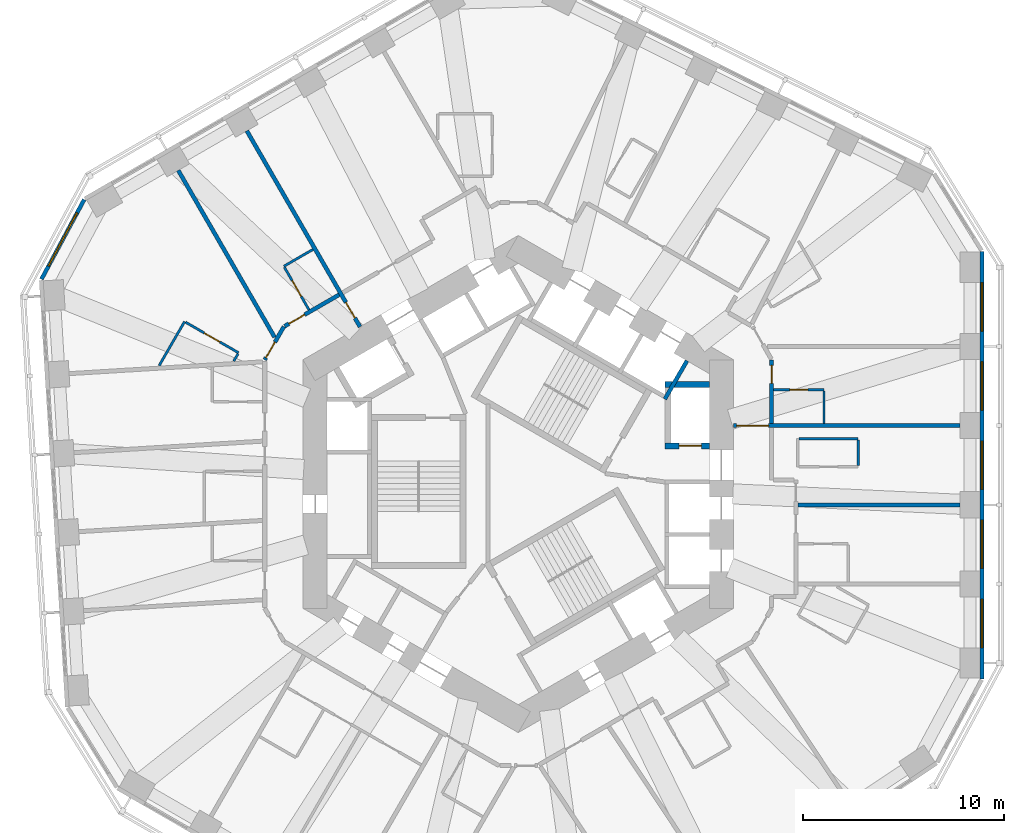
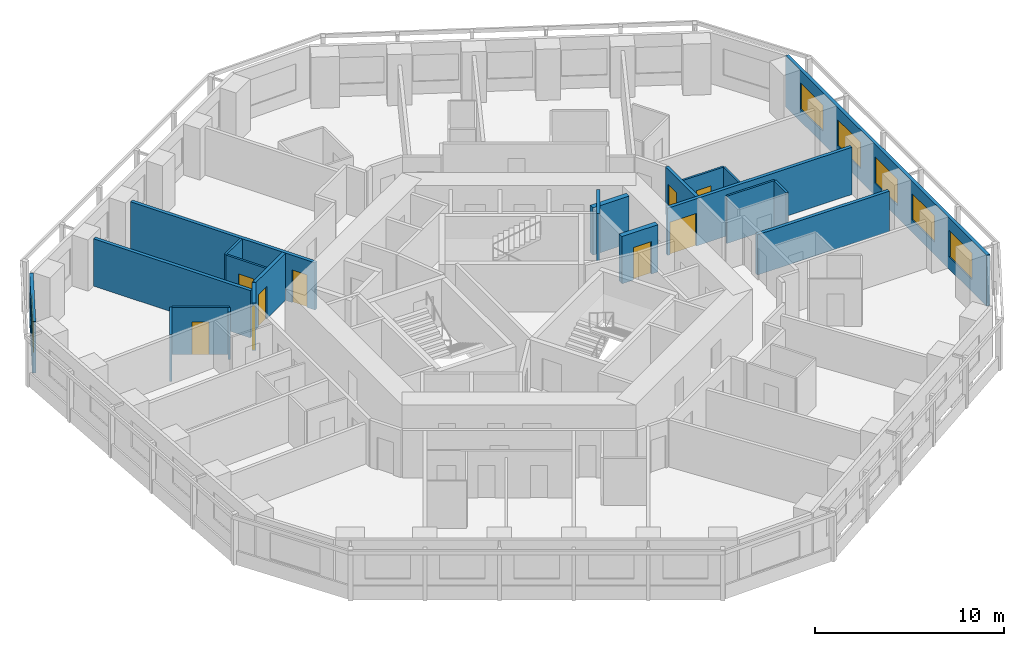
# One storey, part 7 of 12: 21 walls, 9 doors, 6 windows, 15 openings.
"""IFC4 building model written with IfcOpenShell, lengths in metres."""

from ifc_helpers import new_model, si_unit, direction, frame, frame_2d, origin, place, context, subcontext, project, spatial, rectangle, extrude, material, layer, layer_set, type_object, element, fill, save


model = new_model("IFC4")

# Units and contexts
model_context = context("Model", 3, precision=1e-05, world=origin(), true_north=direction((0.0, 1.0)))
body_context = subcontext(model_context, "Body", "Model", "MODEL_VIEW")
ifc_project = project(units=[si_unit("LENGTHUNIT", "METRE"), si_unit("AREAUNIT", "SQUARE_METRE"), si_unit("VOLUMEUNIT", "CUBIC_METRE"), si_unit("PLANEANGLEUNIT", "RADIAN"), si_unit("MASSUNIT", "GRAM", prefix="KILO")], contexts=[model_context])

# Site, building, storey
site_placement = place(None, origin())
site = spatial("IfcSite", under=ifc_project, at=site_placement, CompositionType="ELEMENT")
building_placement = place(site_placement, origin())
building = spatial("IfcBuilding", under=site, at=building_placement, Name="Vanh Sen Convention Tower", CompositionType="ELEMENT")
storey_placement = place(building_placement, frame((0.0, 0.0, 60.5)))
storey = spatial("IfcBuildingStorey", under=building, at=storey_placement, Name="L12", CompositionType="ELEMENT", Elevation=60.5)

# Wall
ifc_material_1 = material(Name="Moisture-resistant gypsum board on steel studs", Category="steel")
ifc_layer_1 = layer(ifc_material_1, 0.1201171875)
ifc_layer_set_1 = layer_set([ifc_layer_1], Name="Moisture-resistant gypsum board on steel studs")
wall_type_1 = type_object("IfcWallType", Name="Bathroom partition 120", PredefinedType="PARTITIONING", material=ifc_layer_set_1)
wall_1_placement = place(storey_placement, frame((-17.849365234375, 5.885498046875, 0.0), z_axis=(0.0, 0.0, 1.0), x_axis=(0.500034589094, 0.866005432841, 0.0)))
element("IfcWall", 1, at=wall_1_placement, inside=storey, type_object=wall_type_1, Name="Bathroom partition 120", PredefinedType="PARTITIONING", context=body_context, shape_type="SweptSolid", body=[
    extrude(rectangle(XDim=2.527587890625, YDim=0.1201171875, at=frame_2d((1.263671875, 0.0))), origin(), (0.0, 0.0, 1.0), 3.050048828125),
])

# Wall, opening, door
wall_2_placement = place(storey_placement, frame((-16.533447265625, 8.04443359375, 0.0), z_axis=(0.0, 0.0, 1.0), x_axis=(0.86601037836, -0.500026023896, 0.0)))
wall_2 = element("IfcWall", 2, at=wall_2_placement, inside=storey, type_object=wall_type_1, Name="Bathroom partition 120", PredefinedType="PARTITIONING", context=body_context, shape_type="SweptSolid", body=[
    extrude(rectangle(XDim=3.039794921875, YDim=0.1201171875, at=frame_2d((1.52001953125, 0.0))), origin(), (0.0, 0.0, 1.0), 3.050048828125),
])
opening_1_placement = place(wall_2_placement, frame((1.070068359375, 0.0, 0.0)))
opening_1 = element("IfcOpeningElement", 3, at=opening_1_placement, cuts=wall_2, Name="Opening D10119", PredefinedType="OPENING", context=body_context, shape_type="SweptSolid", body=[
    extrude(rectangle(XDim=0.89990234375, YDim=2.10009765625, at=frame_2d((0.449951171875, 1.050048828125))), frame((0.0, 0.070068359375, 0.0), z_axis=(0.0, -1.0, 0.0), x_axis=(1.0, 0.0, 0.0)), (0.0, 0.0, 1.0), 0.14013671875),
])
ifc_material_2 = material(Name="Laminate door in steel frame", Category="steel")
door_type_1 = type_object("IfcDoorType", Name="En-suite door 900", OperationType="SINGLE_SWING_LEFT", PredefinedType="DOOR", material=ifc_material_2)
door_1_placement = place(opening_1_placement, origin())
door_1 = element("IfcDoor", 4, at=door_1_placement, inside=storey, type_object=door_type_1, Name="En-suite door D10119", OperationType="SINGLE_SWING_LEFT", OverallHeight=2.10009765625, OverallWidth=0.89990234375, PredefinedType="DOOR", context=body_context, shape_type="SweptSolid", body=[
    extrude(rectangle(XDim=0.89990234375, YDim=2.10009765625, at=frame_2d((0.449951171875, 1.050048828125))), frame((0.0, 0.02490234375, 0.0), z_axis=(0.0, -1.0, 0.0), x_axis=(1.0, 0.0, 0.0)), (0.0, 0.0, 1.0), 0.050048828125),
])
fill(opening_1, door_1)

# Walls
wall_3_placement = place(storey_placement, frame((-13.930908203125, 6.472412109375, 0.0), z_axis=(0.0, 0.0, 1.0), x_axis=(-0.499739399214, -0.866175809448, 0.0)))
element("IfcWall", 5, at=wall_3_placement, inside=storey, type_object=wall_type_1, Name="Bathroom partition 120", PredefinedType="PARTITIONING", context=body_context, shape_type="SweptSolid", body=[
    extrude(rectangle(XDim=0.415771484375, YDim=0.1201171875, at=frame_2d((0.2080078125, 0.0))), origin(), (0.0, 0.0, 1.0), 3.050048828125),
])
wall_4_placement = place(storey_placement, frame((-11.65087890625, 10.82470703125, 0.0), z_axis=(0.0, 0.0, 1.0), x_axis=(0.865998477143, 0.500046635412, 0.0)))
element("IfcWall", 6, at=wall_4_placement, inside=storey, type_object=wall_type_1, Name="Bathroom partition 120", PredefinedType="PARTITIONING", context=body_context, shape_type="SweptSolid", body=[
    extrude(rectangle(XDim=1.673095703125, YDim=0.1201171875, at=frame_2d((0.83642578125, 0.0))), origin(), (0.0, 0.0, 1.0), 3.050048828125),
])

# Wall, opening, door
wall_5_placement = place(storey_placement, frame((-10.40087890625, 8.65966796875, 0.0), z_axis=(0.0, 0.0, 1.0), x_axis=(-0.500077547548, 0.865980627057, 0.0)))
wall_5 = element("IfcWall", 7, at=wall_5_placement, inside=storey, type_object=wall_type_1, Name="Bathroom partition 120", PredefinedType="PARTITIONING", context=body_context, shape_type="SweptSolid", body=[
    extrude(rectangle(XDim=2.43994140625, YDim=0.1201171875, at=frame_2d((1.219970703125, 0.0))), origin(), (0.0, 0.0, 1.0), 3.050048828125),
])
opening_2_placement = place(wall_5_placement, frame((0.77001953125, 0.0, 0.0)))
opening_2 = element("IfcOpeningElement", 8, at=opening_2_placement, cuts=wall_5, Name="Opening D10117", PredefinedType="OPENING", context=body_context, shape_type="SweptSolid", body=[
    extrude(rectangle(XDim=0.89990234375, YDim=2.10009765625, at=frame_2d((0.449951171875, 1.050048828125))), frame((0.0, 0.070068359375, 0.0), z_axis=(0.0, -1.0, 0.0), x_axis=(1.0, 0.0, 0.0)), (0.0, 0.0, 1.0), 0.14013671875),
])
door_2_placement = place(opening_2_placement, origin())
door_2 = element("IfcDoor", 9, at=door_2_placement, inside=storey, type_object=door_type_1, Name="En-suite door D10117", OperationType="SINGLE_SWING_LEFT", OverallHeight=2.10009765625, OverallWidth=0.89990234375, PredefinedType="DOOR", context=body_context, shape_type="SweptSolid", body=[
    extrude(rectangle(XDim=0.89990234375, YDim=2.10009765625, at=frame_2d((0.449951171875, 1.050048828125))), frame((0.0, 0.02490234375, 0.0), z_axis=(0.0, -1.0, 0.0), x_axis=(1.0, 0.0, 0.0)), (0.0, 0.0, 1.0), 0.050048828125),
])
fill(opening_2, door_2)

wall_6_placement = place(storey_placement, frame((12.699951171875, 4.677490234375, 0.0), z_axis=(0.0, 0.0, 1.0), x_axis=(1.0, 0.0, 0.0)))
wall_6 = element("IfcWall", 10, at=wall_6_placement, inside=storey, type_object=wall_type_1, Name="Bathroom partition 120", PredefinedType="PARTITIONING", context=body_context, shape_type="SweptSolid", body=[
    extrude(rectangle(XDim=2.5, YDim=0.1201171875, at=frame_2d((1.25, 0.0))), origin(), (0.0, 0.0, 1.0), 3.050048828125),
])
opening_3_placement = place(wall_6_placement, frame((0.800048828125, 0.0, 0.0)))
opening_3 = element("IfcOpeningElement", 11, at=opening_3_placement, cuts=wall_6, Name="Opening D10106", PredefinedType="OPENING", context=body_context, shape_type="SweptSolid", body=[
    extrude(rectangle(XDim=0.89990234375, YDim=2.10009765625, at=frame_2d((0.449951171875, 1.050048828125))), frame((0.0, 0.070068359375, 0.0), z_axis=(0.0, -1.0, 0.0), x_axis=(1.0, 0.0, 0.0)), (0.0, 0.0, 1.0), 0.14013671875),
])
door_3_placement = place(opening_3_placement, origin())
door_3 = element("IfcDoor", 12, at=door_3_placement, inside=storey, type_object=door_type_1, Name="En-suite door D10106", OperationType="SINGLE_SWING_LEFT", OverallHeight=2.10009765625, OverallWidth=0.89990234375, PredefinedType="DOOR", context=body_context, shape_type="SweptSolid", body=[
    extrude(rectangle(XDim=0.89990234375, YDim=2.10009765625, at=frame_2d((0.449951171875, 1.050048828125))), frame((0.0, 0.02490234375, 0.0), z_axis=(0.0, -1.0, 0.0), x_axis=(1.0, 0.0, 0.0)), (0.0, 0.0, 1.0), 0.050048828125),
])
fill(opening_3, door_3)

# Walls
wall_7_placement = place(storey_placement, frame((13.9599609375, 2.252685546875, 0.0), z_axis=(0.0, 0.0, 1.0), x_axis=(1.0, 0.0, 0.0)))
element("IfcWall", 13, at=wall_7_placement, inside=storey, type_object=wall_type_1, Name="Bathroom partition 120", PredefinedType="PARTITIONING", context=body_context, shape_type="SweptSolid", body=[
    extrude(rectangle(XDim=2.93994140625, YDim=0.1201171875, at=frame_2d((1.469970703125, 0.0))), origin(), (0.0, 0.0, 1.0), 3.050048828125),
])
wall_8_placement = place(storey_placement, frame((15.199951171875, 4.61767578125, 0.0), z_axis=(0.0, 0.0, 1.0), x_axis=(0.0, -1.0, 0.0)))
element("IfcWall", 14, at=wall_8_placement, inside=storey, type_object=wall_type_1, Name="Bathroom partition 120", PredefinedType="PARTITIONING", context=body_context, shape_type="SweptSolid", body=[
    extrude(rectangle(XDim=1.61328125, YDim=0.1201171875, at=frame_2d((0.806640625, 0.0))), origin(), (0.0, 0.0, 1.0), 3.050048828125),
])
wall_9_placement = place(storey_placement, frame((16.89990234375, 2.19287109375, 0.0), z_axis=(0.0, 0.0, 1.0), x_axis=(0.0, -1.0, 0.0)))
element("IfcWall", 15, at=wall_9_placement, inside=storey, type_object=wall_type_1, Name="Bathroom partition 120", PredefinedType="PARTITIONING", context=body_context, shape_type="SweptSolid", body=[
    extrude(rectangle(XDim=1.280029296875, YDim=0.1201171875, at=frame_2d((0.64013671875, 0.0))), origin(), (0.0, 0.0, 1.0), 3.050048828125),
])

# Wall, opening, door
ifc_material_3 = material(Name="Gypsum board on steel studs with mineral wool", Category="steel")
ifc_layer_2 = layer(ifc_material_3, 0.199951171875)
ifc_layer_set_2 = layer_set([ifc_layer_2], Name="Gypsum board on steel studs with mineral wool")
wall_type_2 = type_object("IfcWallType", Name="Corridor partition wall 200", PredefinedType="PARTITIONING", material=ifc_layer_set_2)
wall_10_placement = place(storey_placement, frame((-11.64990234375, 7.822998046875, 0.0), z_axis=(0.0, 0.0, 1.0), x_axis=(-0.500063520245, -0.865988727248, 0.0)))
wall_10 = element("IfcWall", 16, at=wall_10_placement, inside=storey, type_object=wall_type_2, Name="Corridor partition wall 200", PredefinedType="PARTITIONING", context=body_context, shape_type="SweptSolid", body=[
    extrude(rectangle(XDim=1.900146484375, YDim=0.199951171875, at=frame_2d((0.9501953125, 0.0))), origin(), (0.0, 0.0, 1.0), 3.050048828125),
])
opening_4_placement = place(wall_10_placement, frame((0.8818359375, 0.0, 0.0)))
opening_4 = element("IfcOpeningElement", 17, at=opening_4_placement, cuts=wall_10, Name="Opening D10118", PredefinedType="OPENING", context=body_context, shape_type="SweptSolid", body=[
    extrude(rectangle(XDim=0.89990234375, YDim=2.10009765625, at=frame_2d((0.449951171875, 1.050048828125))), frame((0.0, 0.10986328125, 0.0), z_axis=(0.0, -1.0, 0.0), x_axis=(1.0, 0.0, 0.0)), (0.0, 0.0, 1.0), 0.219970703125),
])
ifc_material_4 = material(Name="Timber fire door in steel frame", Category="steel")
door_type_2 = type_object("IfcDoorType", Name="Guest room door 900", OperationType="SINGLE_SWING_LEFT", PredefinedType="DOOR", material=ifc_material_4)
door_4_placement = place(opening_4_placement, origin())
door_4 = element("IfcDoor", 18, at=door_4_placement, inside=storey, type_object=door_type_2, Name="Hotel guest room door D10118", OperationType="SINGLE_SWING_LEFT", OverallHeight=2.10009765625, OverallWidth=0.89990234375, PredefinedType="DOOR", context=body_context, shape_type="SweptSolid", body=[
    extrude(rectangle(XDim=0.89990234375, YDim=2.10009765625, at=frame_2d((0.449951171875, 1.050048828125))), frame((0.0, 0.02490234375, 0.0), z_axis=(0.0, -1.0, 0.0), x_axis=(1.0, 0.0, 0.0)), (0.0, 0.0, 1.0), 0.050048828125),
])
fill(opening_4, door_4)

wall_11_placement = place(storey_placement, frame((-8.902099609375, 9.40966796875, 0.0), z_axis=(0.0, 0.0, 1.0), x_axis=(-0.866014299198, -0.500019233215, 0.0)))
wall_11 = element("IfcWall", 19, at=wall_11_placement, inside=storey, type_object=wall_type_2, Name="Corridor partition wall 200", PredefinedType="PARTITIONING", context=body_context, shape_type="SweptSolid", body=[
    extrude(rectangle(XDim=3.13330078125, YDim=0.199951171875, at=frame_2d((1.566650390625, 0.0))), origin(), (0.0, 0.0, 1.0), 3.050048828125),
])
opening_5_placement = place(wall_11_placement, frame((1.97802734375, 0.0, 0.0)))
opening_5 = element("IfcOpeningElement", 20, at=opening_5_placement, cuts=wall_11, Name="Opening D10116", PredefinedType="OPENING", context=body_context, shape_type="SweptSolid", body=[
    extrude(rectangle(XDim=0.89990234375, YDim=2.10009765625, at=frame_2d((0.449951171875, 1.050048828125))), frame((0.0, 0.10986328125, 0.0), z_axis=(0.0, -1.0, 0.0), x_axis=(1.0, 0.0, 0.0)), (0.0, 0.0, 1.0), 0.219970703125),
])
door_5_placement = place(opening_5_placement, origin())
door_5 = element("IfcDoor", 21, at=door_5_placement, inside=storey, type_object=door_type_2, Name="Hotel guest room door D10116", OperationType="SINGLE_SWING_LEFT", OverallHeight=2.10009765625, OverallWidth=0.89990234375, PredefinedType="DOOR", context=body_context, shape_type="SweptSolid", body=[
    extrude(rectangle(XDim=0.89990234375, YDim=2.10009765625, at=frame_2d((0.449951171875, 1.050048828125))), frame((0.0, 0.02490234375, 0.0), z_axis=(0.0, -1.0, 0.0), x_axis=(1.0, 0.0, 0.0)), (0.0, 0.0, 1.0), 0.050048828125),
])
fill(opening_5, door_5)

wall_12_placement = place(storey_placement, frame((12.60009765625, 3.00439453125, 0.0), z_axis=(0.0, 0.0, 1.0), x_axis=(0.0, 1.0, 0.0)))
wall_12 = element("IfcWall", 22, at=wall_12_placement, inside=storey, type_object=wall_type_2, Name="Corridor partition wall 200", PredefinedType="PARTITIONING", context=body_context, shape_type="SweptSolid", body=[
    extrude(rectangle(XDim=3.173095703125, YDim=0.199951171875, at=frame_2d((1.58642578125, 0.0))), origin(), (0.0, 0.0, 1.0), 3.050048828125),
])
opening_6_placement = place(wall_12_placement, frame((1.998046875, 0.0, 0.0)))
opening_6 = element("IfcOpeningElement", 23, at=opening_6_placement, cuts=wall_12, Name="Opening D10105", PredefinedType="OPENING", context=body_context, shape_type="SweptSolid", body=[
    extrude(rectangle(XDim=0.89990234375, YDim=2.10009765625, at=frame_2d((0.449951171875, 1.050048828125))), frame((0.0, 0.10986328125, 0.0), z_axis=(0.0, -1.0, 0.0), x_axis=(1.0, 0.0, 0.0)), (0.0, 0.0, 1.0), 0.219970703125),
])
door_6_placement = place(opening_6_placement, origin())
door_6 = element("IfcDoor", 24, at=door_6_placement, inside=storey, type_object=door_type_2, Name="Hotel guest room door D10105", OperationType="SINGLE_SWING_LEFT", OverallHeight=2.10009765625, OverallWidth=0.89990234375, PredefinedType="DOOR", context=body_context, shape_type="SweptSolid", body=[
    extrude(rectangle(XDim=0.89990234375, YDim=2.10009765625, at=frame_2d((0.449951171875, 1.050048828125))), frame((0.0, 0.02490234375, 0.0), z_axis=(0.0, -1.0, 0.0), x_axis=(1.0, 0.0, 0.0)), (0.0, 0.0, 1.0), 0.050048828125),
])
fill(opening_6, door_6)

# Wall, openings, windows
ifc_material_5 = material(Name="Insulated lightweight infill wall")
ifc_layer_3 = layer(ifc_material_5, 0.199951171875)
ifc_layer_set_3 = layer_set([ifc_layer_3], Name="Insulated lightweight infill wall")
wall_type_3 = type_object("IfcWallType", Name="External wall 200", PredefinedType="STANDARD", material=ifc_layer_set_3)
wall_13_placement = place(storey_placement, frame((23.050048828125, -9.6865234375, 0.0), z_axis=(0.0, 0.0, 1.0), x_axis=(0.0, 1.0, 0.0)))
wall_13 = element("IfcWall", 25, at=wall_13_placement, inside=storey, type_object=wall_type_3, Name="External wall E L12", PredefinedType="STANDARD", context=body_context, shape_type="SweptSolid", body=[
    extrude(rectangle(XDim=21.24609375, YDim=0.199951171875, at=frame_2d((10.623046875, 0.0))), origin(), (0.0, 0.0, 1.0), 3.300048828125),
])
opening_7_placement = place(wall_13_placement, frame((1.5546875, 0.0, 0.800048828125)))
opening_7 = element("IfcOpeningElement", 26, at=opening_7_placement, cuts=wall_13, Name="Opening WH1-E1", PredefinedType="OPENING", context=body_context, shape_type="SweptSolid", body=[
    extrude(rectangle(XDim=2.39990234375, YDim=1.699951171875, at=frame_2d((1.199951171875, 0.85009765625))), frame((0.0, 0.10986328125, 0.0), z_axis=(0.0, -1.0, 0.0), x_axis=(1.0, 0.0, 0.0)), (0.0, 0.0, 1.0), 0.219970703125),
])
opening_8_placement = place(wall_13_placement, frame((5.4892578125, 0.0, 0.800048828125)))
opening_8 = element("IfcOpeningElement", 27, at=opening_8_placement, cuts=wall_13, Name="Opening WH1-E2", PredefinedType="OPENING", context=body_context, shape_type="SweptSolid", body=[
    extrude(rectangle(XDim=2.39990234375, YDim=1.699951171875, at=frame_2d((1.199951171875, 0.85009765625))), frame((0.0, 0.10986328125, 0.0), z_axis=(0.0, -1.0, 0.0), x_axis=(1.0, 0.0, 0.0)), (0.0, 0.0, 1.0), 0.219970703125),
])
opening_9_placement = place(wall_13_placement, frame((9.423828125, 0.0, 0.800048828125)))
opening_9 = element("IfcOpeningElement", 28, at=opening_9_placement, cuts=wall_13, Name="Opening WH1-E3", PredefinedType="OPENING", context=body_context, shape_type="SweptSolid", body=[
    extrude(rectangle(XDim=2.39990234375, YDim=1.699951171875, at=frame_2d((1.199951171875, 0.85009765625))), frame((0.0, 0.10986328125, 0.0), z_axis=(0.0, -1.0, 0.0), x_axis=(1.0, 0.0, 0.0)), (0.0, 0.0, 1.0), 0.219970703125),
])
opening_10_placement = place(wall_13_placement, frame((13.3583984375, 0.0, 0.800048828125)))
opening_10 = element("IfcOpeningElement", 29, at=opening_10_placement, cuts=wall_13, Name="Opening WH1-E4", PredefinedType="OPENING", context=body_context, shape_type="SweptSolid", body=[
    extrude(rectangle(XDim=2.39990234375, YDim=1.699951171875, at=frame_2d((1.199951171875, 0.85009765625))), frame((0.0, 0.10986328125, 0.0), z_axis=(0.0, -1.0, 0.0), x_axis=(1.0, 0.0, 0.0)), (0.0, 0.0, 1.0), 0.219970703125),
])
opening_11_placement = place(wall_13_placement, frame((17.29296875, 0.0, 0.800048828125)))
opening_11 = element("IfcOpeningElement", 30, at=opening_11_placement, cuts=wall_13, Name="Opening WH1-E5", PredefinedType="OPENING", context=body_context, shape_type="SweptSolid", body=[
    extrude(rectangle(XDim=2.39990234375, YDim=1.699951171875, at=frame_2d((1.199951171875, 0.85009765625))), frame((0.0, 0.10986328125, 0.0), z_axis=(0.0, -1.0, 0.0), x_axis=(1.0, 0.0, 0.0)), (0.0, 0.0, 1.0), 0.219970703125),
])
ifc_material_6 = material(Name="Aluminium frame with clear low-emissivity glass", Category="aluminium")
window_type_1 = type_object("IfcWindowType", Name="Hotel window 2400 x 1700", PartitioningType="SINGLE_PANEL", PredefinedType="WINDOW", material=ifc_material_6)
window_1_placement = place(opening_7_placement, origin())
window_1 = element("IfcWindow", 31, at=window_1_placement, inside=storey, type_object=window_type_1, Name="Window WH1-E1", OverallHeight=1.699951171875, OverallWidth=2.39990234375, PartitioningType="SINGLE_PANEL", PredefinedType="WINDOW", context=body_context, shape_type="SweptSolid", body=[
    extrude(rectangle(XDim=2.39990234375, YDim=1.699951171875, at=frame_2d((1.199951171875, 0.85009765625))), frame((0.0, 0.030029296875, 0.0), z_axis=(0.0, -1.0, 0.0), x_axis=(1.0, 0.0, 0.0)), (0.0, 0.0, 1.0), 0.06005859375),
])
fill(opening_7, window_1)
window_2_placement = place(opening_8_placement, origin())
window_2 = element("IfcWindow", 32, at=window_2_placement, inside=storey, type_object=window_type_1, Name="Window WH1-E2", OverallHeight=1.699951171875, OverallWidth=2.39990234375, PartitioningType="SINGLE_PANEL", PredefinedType="WINDOW", context=body_context, shape_type="SweptSolid", body=[
    extrude(rectangle(XDim=2.39990234375, YDim=1.699951171875, at=frame_2d((1.199951171875, 0.85009765625))), frame((0.0, 0.030029296875, 0.0), z_axis=(0.0, -1.0, 0.0), x_axis=(1.0, 0.0, 0.0)), (0.0, 0.0, 1.0), 0.06005859375),
])
fill(opening_8, window_2)
window_3_placement = place(opening_9_placement, origin())
window_3 = element("IfcWindow", 33, at=window_3_placement, inside=storey, type_object=window_type_1, Name="Window WH1-E3", OverallHeight=1.699951171875, OverallWidth=2.39990234375, PartitioningType="SINGLE_PANEL", PredefinedType="WINDOW", context=body_context, shape_type="SweptSolid", body=[
    extrude(rectangle(XDim=2.39990234375, YDim=1.699951171875, at=frame_2d((1.199951171875, 0.85009765625))), frame((0.0, 0.030029296875, 0.0), z_axis=(0.0, -1.0, 0.0), x_axis=(1.0, 0.0, 0.0)), (0.0, 0.0, 1.0), 0.06005859375),
])
fill(opening_9, window_3)
window_4_placement = place(opening_10_placement, origin())
window_4 = element("IfcWindow", 34, at=window_4_placement, inside=storey, type_object=window_type_1, Name="Window WH1-E4", OverallHeight=1.699951171875, OverallWidth=2.39990234375, PartitioningType="SINGLE_PANEL", PredefinedType="WINDOW", context=body_context, shape_type="SweptSolid", body=[
    extrude(rectangle(XDim=2.39990234375, YDim=1.699951171875, at=frame_2d((1.199951171875, 0.85009765625))), frame((0.0, 0.030029296875, 0.0), z_axis=(0.0, -1.0, 0.0), x_axis=(1.0, 0.0, 0.0)), (0.0, 0.0, 1.0), 0.06005859375),
])
fill(opening_10, window_4)
window_5_placement = place(opening_11_placement, origin())
window_5 = element("IfcWindow", 35, at=window_5_placement, inside=storey, type_object=window_type_1, Name="Window WH1-E5", OverallHeight=1.699951171875, OverallWidth=2.39990234375, PartitioningType="SINGLE_PANEL", PredefinedType="WINDOW", context=body_context, shape_type="SweptSolid", body=[
    extrude(rectangle(XDim=2.39990234375, YDim=1.699951171875, at=frame_2d((1.199951171875, 0.85009765625))), frame((0.0, 0.030029296875, 0.0), z_axis=(0.0, -1.0, 0.0), x_axis=(1.0, 0.0, 0.0)), (0.0, 0.0, 1.0), 0.06005859375),
])
fill(opening_11, window_5)

# Wall, opening, window
wall_14_placement = place(storey_placement, frame((-21.573974609375, 14.142822265625, 0.0), z_axis=(0.0, 0.0, 1.0), x_axis=(-0.473292949472, -0.880905093628, 0.0)))
wall_14 = element("IfcWall", 36, at=wall_14_placement, inside=storey, type_object=wall_type_3, Name="External wall CH3 L12", PredefinedType="STANDARD", context=body_context, shape_type="SweptSolid", body=[
    extrude(rectangle(XDim=4.493896484375, YDim=0.199951171875, at=frame_2d((2.2470703125, 0.0))), origin(), (0.0, 0.0, 1.0), 3.300048828125),
])
opening_12_placement = place(wall_14_placement, frame((0.746826171875, 0.0, 0.800048828125)))
opening_12 = element("IfcOpeningElement", 37, at=opening_12_placement, cuts=wall_14, Name="Opening WH2-CH31", PredefinedType="OPENING", context=body_context, shape_type="SweptSolid", body=[
    extrude(rectangle(XDim=3.0, YDim=1.699951171875, at=frame_2d((1.5, 0.85009765625))), frame((0.0, 0.10986328125, 0.0), z_axis=(0.0, -1.0, 0.0), x_axis=(1.0, 0.0, 0.0)), (0.0, 0.0, 1.0), 0.219970703125),
])
window_type_2 = type_object("IfcWindowType", Name="Hotel window 3000 x 1700", PartitioningType="SINGLE_PANEL", PredefinedType="WINDOW", material=ifc_material_6)
window_6_placement = place(opening_12_placement, origin())
window_6 = element("IfcWindow", 38, at=window_6_placement, inside=storey, type_object=window_type_2, Name="Window WH2-CH31", OverallHeight=1.699951171875, OverallWidth=3.0, PartitioningType="SINGLE_PANEL", PredefinedType="WINDOW", context=body_context, shape_type="SweptSolid", body=[
    extrude(rectangle(XDim=3.0, YDim=1.699951171875, at=frame_2d((1.5, 0.85009765625))), frame((0.0, 0.030029296875, 0.0), z_axis=(0.0, -1.0, 0.0), x_axis=(1.0, 0.0, 0.0)), (0.0, 0.0, 1.0), 0.06005859375),
])
fill(opening_12, window_6)

# Wall, opening, door
ifc_material_7 = material(Name="Concrete C60/75", Category="concrete")
ifc_layer_4 = layer(ifc_material_7, 0.300048828125)
ifc_layer_set_4 = layer_set([ifc_layer_4], Name="Concrete C60/75")
wall_type_4 = type_object("IfcWallType", Name="Fire-fighting lift shaft wall 300", PredefinedType="SHEAR", material=ifc_layer_set_4)
wall_15_placement = place(storey_placement, frame((7.300048828125, 1.89990234375, 0.0), z_axis=(0.0, 0.0, 1.0), x_axis=(1.0, 0.0, 0.0)))
wall_15 = element("IfcWall", 39, at=wall_15_placement, inside=storey, type_object=wall_type_4, Name="Fire-fighting lift shaft wall L12", PredefinedType="SHEAR", context=body_context, shape_type="SweptSolid", body=[
    extrude(rectangle(XDim=2.199951171875, YDim=0.300048828125, at=frame_2d((1.10009765625, 0.0))), origin(), (0.0, 0.0, 1.0), 3.050048828125),
])
opening_13_placement = place(wall_15_placement, frame((0.699951171875, 0.0, 0.0)))
opening_13 = element("IfcOpeningElement", 40, at=opening_13_placement, cuts=wall_15, Name="Opening LD-FF1", PredefinedType="OPENING", context=body_context, shape_type="SweptSolid", body=[
    extrude(rectangle(XDim=1.10009765625, YDim=2.10009765625, at=frame_2d((0.550048828125, 1.050048828125))), frame((0.0, 0.159912109375, 0.0), z_axis=(0.0, -1.0, 0.0), x_axis=(1.0, 0.0, 0.0)), (0.0, 0.0, 1.0), 0.320068359375),
])
ifc_material_8 = material(Name="Stainless steel", Category="steel")
door_type_3 = type_object("IfcDoorType", Name="Fire-fighting lift landing door 1100", OperationType="DOUBLE_DOOR_SLIDING", PredefinedType="DOOR", material=ifc_material_8)
door_7_placement = place(opening_13_placement, origin())
door_7 = element("IfcDoor", 41, at=door_7_placement, inside=storey, type_object=door_type_3, Name="Lift FF1 landing door LD-FF1", OperationType="DOUBLE_DOOR_SLIDING", OverallHeight=2.10009765625, OverallWidth=1.10009765625, PredefinedType="DOOR", context=body_context, shape_type="SweptSolid", body=[
    extrude(rectangle(XDim=1.10009765625, YDim=2.10009765625, at=frame_2d((0.550048828125, 1.050048828125))), frame((0.0, 0.02490234375, 0.0), z_axis=(0.0, -1.0, 0.0), x_axis=(1.0, 0.0, 0.0)), (0.0, 0.0, 1.0), 0.050048828125),
])
fill(opening_13, door_7)

# Walls
wall_16_placement = place(storey_placement, frame((7.300048828125, 4.949951171875, 0.0), z_axis=(0.0, 0.0, 1.0), x_axis=(1.0, 0.0, 0.0)))
element("IfcWall", 42, at=wall_16_placement, inside=storey, type_object=wall_type_4, Name="Fire-fighting lift shaft wall L12", PredefinedType="SHEAR", context=body_context, shape_type="SweptSolid", body=[
    extrude(rectangle(XDim=2.199951171875, YDim=0.300048828125, at=frame_2d((1.10009765625, 0.0))), origin(), (0.0, 0.0, 1.0), 3.050048828125),
])
ifc_layer_5 = layer(ifc_material_3, 0.199951171875)
ifc_layer_set_5 = layer_set([ifc_layer_5], Name="Gypsum board on steel studs with mineral wool")
wall_type_5 = type_object("IfcWallType", Name="Hotel party wall 200", PredefinedType="PARTITIONING", material=ifc_layer_set_5)
wall_17_placement = place(storey_placement, frame((-16.89794921875, 15.589599609375, 0.0), z_axis=(0.0, 0.0, 1.0), x_axis=(0.500023458698, -0.866011859475, 0.0)))
element("IfcWall", 43, at=wall_17_placement, inside=storey, type_object=wall_type_5, Name="Hotel party wall 200", PredefinedType="PARTITIONING", context=body_context, shape_type="SweptSolid", body=[
    extrude(rectangle(XDim=9.57177734375, YDim=0.199951171875, at=frame_2d((4.785888671875, 0.0))), origin(), (0.0, 0.0, 1.0), 3.050048828125),
])
wall_18_placement = place(storey_placement, frame((21.949951171875, -1.030029296875, 0.0), z_axis=(0.0, 0.0, 1.0), x_axis=(-1.0, 0.0, 0.0)))
element("IfcWall", 44, at=wall_18_placement, inside=storey, type_object=wall_type_5, Name="Hotel party wall 200", PredefinedType="PARTITIONING", context=body_context, shape_type="SweptSolid", body=[
    extrude(rectangle(XDim=8.049072265625, YDim=0.199951171875, at=frame_2d((4.0244140625, 0.0))), origin(), (0.0, 0.0, 1.0), 2.60009765625),
])
ifc_material_9 = material(Name="Concrete C40/50", Category="concrete")
ifc_layer_6 = layer(ifc_material_9, 0.199951171875)
ifc_layer_set_6 = layer_set([ifc_layer_6], Name="Concrete C40/50")
wall_type_6 = type_object("IfcWallType", Name="Lift shaft wall 200", PredefinedType="PARTITIONING", material=ifc_layer_set_6)
wall_19_placement = place(storey_placement, frame((7.287353515625, 4.221923828125, 0.0), z_axis=(0.0, 0.0, 1.0), x_axis=(0.499946605688, 0.86605622881, 0.0)))
element("IfcWall", 45, at=wall_19_placement, inside=storey, type_object=wall_type_6, Name="Lift shaft wall L12", PredefinedType="PARTITIONING", context=body_context, shape_type="SweptSolid", body=[
    extrude(rectangle(XDim=2.199951171875, YDim=0.199951171875, at=frame_2d((1.10009765625, 0.0))), origin(), (0.0, 0.0, 1.0), 3.050048828125),
])

# Wall, opening, door
ifc_material_10 = material(Name="Concrete C20/25", Category="concrete")
ifc_layer_7 = layer(ifc_material_10, 0.199951171875)
ifc_layer_set_7 = layer_set([ifc_layer_7], Name="Concrete C20/25")
wall_type_7 = type_object("IfcWallType", Name="Sub-compartment wall 200", PredefinedType="PARTITIONING", material=ifc_layer_set_7)
wall_20_placement = place(storey_placement, frame((-7.865478515625, 7.814208984375, 0.0), z_axis=(0.0, 0.0, 1.0), x_axis=(-0.500004234368, 0.866022959057, 0.0)))
wall_20 = element("IfcWall", 46, at=wall_20_placement, inside=storey, type_object=wall_type_7, Name="Sub-compartment wall 200", PredefinedType="PARTITIONING", context=body_context, shape_type="SweptSolid", body=[
    extrude(rectangle(XDim=11.25, YDim=0.199951171875, at=frame_2d((5.625, 0.0))), origin(), (0.0, 0.0, 1.0), 3.050048828125),
])
opening_14_placement = place(wall_20_placement, frame((0.5, 0.0, 0.0)))
opening_14 = element("IfcOpeningElement", 47, at=opening_14_placement, cuts=wall_20, Name="Opening D10139", PredefinedType="OPENING", context=body_context, shape_type="SweptSolid", body=[
    extrude(rectangle(XDim=0.89990234375, YDim=2.10009765625, at=frame_2d((0.449951171875, 1.050048828125))), frame((0.0, 0.10986328125, 0.0), z_axis=(0.0, -1.0, 0.0), x_axis=(1.0, 0.0, 0.0)), (0.0, 0.0, 1.0), 0.219970703125),
])
ifc_material_11 = material(Name="Steel S355", Category="steel")
door_type_4 = type_object("IfcDoorType", Name="Corridor fire door 900", OperationType="SINGLE_SWING_LEFT", PredefinedType="DOOR", material=ifc_material_11)
door_8_placement = place(opening_14_placement, origin())
door_8 = element("IfcDoor", 48, at=door_8_placement, inside=storey, type_object=door_type_4, Name="Sub-compartment door D10139", OperationType="SINGLE_SWING_LEFT", OverallHeight=2.10009765625, OverallWidth=0.89990234375, PredefinedType="DOOR", context=body_context, shape_type="SweptSolid", body=[
    extrude(rectangle(XDim=0.89990234375, YDim=2.10009765625, at=frame_2d((0.449951171875, 1.050048828125))), frame((0.0, 0.02490234375, 0.0), z_axis=(0.0, -1.0, 0.0), x_axis=(1.0, 0.0, 0.0)), (0.0, 0.0, 1.0), 0.050048828125),
])
fill(opening_14, door_8)

wall_21_placement = place(storey_placement, frame((21.949951171875, 2.904541015625, 0.0), z_axis=(0.0, 0.0, 1.0), x_axis=(-1.0, 0.0, 0.0)))
wall_21 = element("IfcWall", 49, at=wall_21_placement, inside=storey, type_object=wall_type_7, Name="Sub-compartment wall 200", PredefinedType="PARTITIONING", context=body_context, shape_type="SweptSolid", body=[
    extrude(rectangle(XDim=11.25, YDim=0.199951171875, at=frame_2d((5.625, 0.0))), origin(), (0.0, 0.0, 1.0), 3.050048828125),
])
opening_15_placement = place(wall_21_placement, frame((9.5, 0.0, 0.0)))
opening_15 = element("IfcOpeningElement", 50, at=opening_15_placement, cuts=wall_21, Name="Opening D10140", PredefinedType="OPENING", context=body_context, shape_type="SweptSolid", body=[
    extrude(rectangle(XDim=1.60009765625, YDim=2.10009765625, at=frame_2d((0.800048828125, 1.050048828125))), frame((0.0, 0.10986328125, 0.0), z_axis=(0.0, -1.0, 0.0), x_axis=(1.0, 0.0, 0.0)), (0.0, 0.0, 1.0), 0.219970703125),
])
door_type_5 = type_object("IfcDoorType", Name="Corridor fire door 1600", OperationType="DOUBLE_DOOR_SINGLE_SWING", PredefinedType="DOOR", material=ifc_material_11)
door_9_placement = place(opening_15_placement, origin())
door_9 = element("IfcDoor", 51, at=door_9_placement, inside=storey, type_object=door_type_5, Name="Sub-compartment door D10140", OperationType="DOUBLE_DOOR_SINGLE_SWING", OverallHeight=2.10009765625, OverallWidth=1.60009765625, PredefinedType="DOOR", context=body_context, shape_type="SweptSolid", body=[
    extrude(rectangle(XDim=1.60009765625, YDim=2.10009765625, at=frame_2d((0.800048828125, 1.050048828125))), frame((0.0, 0.02490234375, 0.0), z_axis=(0.0, -1.0, 0.0), x_axis=(1.0, 0.0, 0.0)), (0.0, 0.0, 1.0), 0.050048828125),
])
fill(opening_15, door_9)

save(model, "model.ifc")
